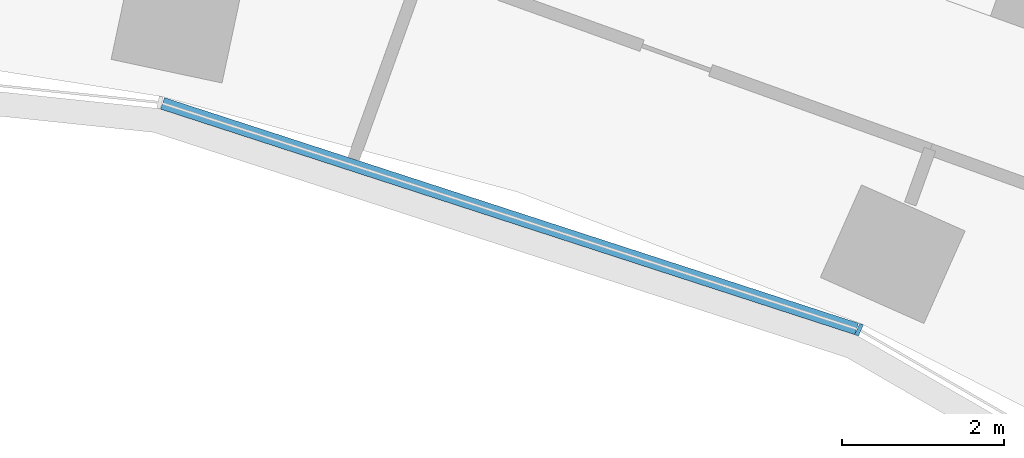
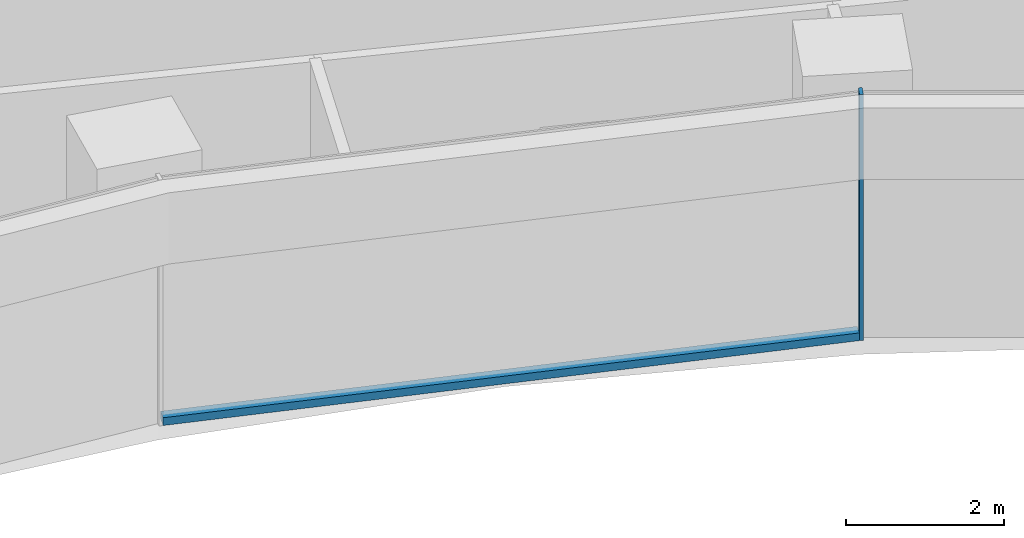
# One storey, part 9 of 21: 2 members, 1 element without a shape of its own.
"""IFC4 building model written with IfcOpenShell, lengths in metres."""

from ifc_helpers import new_model, si_unit, direction, frame, origin, origin_2d, place, context, subcontext, project, spatial, rectangle, extrude, material, layer, layer_set, material_profile, profile_set, type_object, element, aggregate, save


model = new_model("IFC4")

# Units and contexts
model_context = context("Model", 3, precision=1e-05, world=origin(), true_north=direction((0.0, 1.0)))
body_context = subcontext(model_context, "Body", "Model", "MODEL_VIEW")
ifc_project = project(units=[si_unit("LENGTHUNIT", "METRE"), si_unit("AREAUNIT", "SQUARE_METRE"), si_unit("VOLUMEUNIT", "CUBIC_METRE"), si_unit("PLANEANGLEUNIT", "RADIAN"), si_unit("MASSUNIT", "GRAM", prefix="KILO")], contexts=[model_context])

# Site, building, storey
site_placement = place(None, origin())
site = spatial("IfcSite", under=ifc_project, at=site_placement, CompositionType="ELEMENT")
building_placement = place(site_placement, origin())
building = spatial("IfcBuilding", under=site, at=building_placement, Name="Stone Belt Terrace Tower", CompositionType="ELEMENT")
storey_placement = place(building_placement, frame((0.0, 0.0, 45.199951171875)))
storey = spatial("IfcBuildingStorey", under=building, at=storey_placement, Name="L10", CompositionType="ELEMENT", Elevation=45.199951171875)

# Curtain wall, members
ifc_material = material(Name="Aluminium 6063-T6 anodised frame", Category="aluminium")
ifc_layer = layer(ifc_material, 0.14990234375)
ifc_layer_set = layer_set([ifc_layer], Name="CW-B unitised concave-face curtain wall")
curtain_wall_type = type_object("IfcCurtainWallType", Name="CW-B unitised concave-face curtain wall", PredefinedType="NOTDEFINED", material=ifc_layer_set)
curtain_wall_placement = place(storey_placement, origin())
curtain_wall = element("IfcCurtainWall", 1, at=curtain_wall_placement, inside=storey, type_object=curtain_wall_type, Name="CW-B concave face L10", PredefinedType="NOTDEFINED")
ifc_material_profile_1 = material_profile(ifc_material, rectangle(XDim=0.14990234375, YDim=0.050048828125, at=origin_2d()), Name="Aluminium 6063-T6 50x150")
ifc_profile_set_1 = profile_set([ifc_material_profile_1], Name="Aluminium 6063-T6 anodised frame")
member_type_1 = type_object("IfcMemberType", Name="CW-B mullion 50 x 150", PredefinedType="MULLION", material=ifc_profile_set_1)
member_1_placement = place(storey_placement, frame((17.662353515625, 39.67041015625, 0.0), z_axis=(0.0, 0.0, 1.0), x_axis=(0.406736643076, 0.913545457643, 0.0)))
member_1 = element("IfcMember", 2, at=member_1_placement, type_object=member_type_1, Name="CW-B mullion 8", PredefinedType="MULLION", context=body_context, shape_type="SweptSolid", body=[
    extrude(rectangle(XDim=0.14990234375, YDim=0.050048828125, at=origin_2d()), origin(), (0.0, 0.0, 1.0), 3.800048828125),
])
ifc_material_profile_2 = material_profile(ifc_material, rectangle(XDim=0.14990234375, YDim=0.1201171875, at=origin_2d()), Name="Aluminium 6063-T6 150x120")
ifc_profile_set_2 = profile_set([ifc_material_profile_2], Name="Aluminium 6063-T6 anodised frame")
member_type_2 = type_object("IfcMemberType", Name="CW-B transom 120 x 150", PredefinedType="USERDEFINED", material=ifc_profile_set_2)
member_2_placement = place(storey_placement, frame((9.0595703125, 42.465576171875, 0.06005859375), z_axis=(0.951055963285, -0.309018696359, 0.0), x_axis=(0.309018696359, 0.951055963285, 0.0)))
member_2 = element("IfcMember", 3, at=member_2_placement, type_object=member_type_2, Name="CW-B transom 7.1", ObjectType="TRANSOM", PredefinedType="USERDEFINED", context=body_context, shape_type="SweptSolid", body=[
    extrude(rectangle(XDim=0.14990234375, YDim=0.1201171875, at=origin_2d()), origin(), (0.0, 0.0, 1.0), 9.012939453125),
])
aggregate(curtain_wall, [member_1, member_2])

save(model, "model.ifc")
